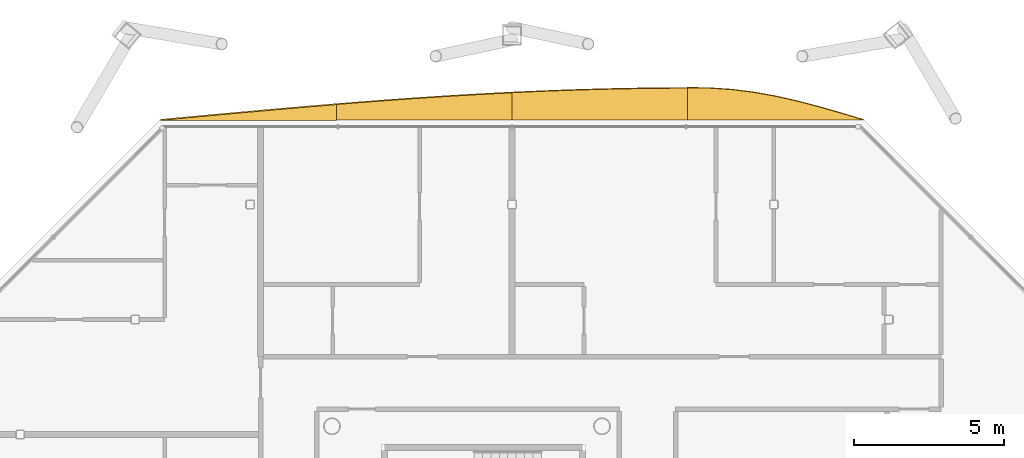
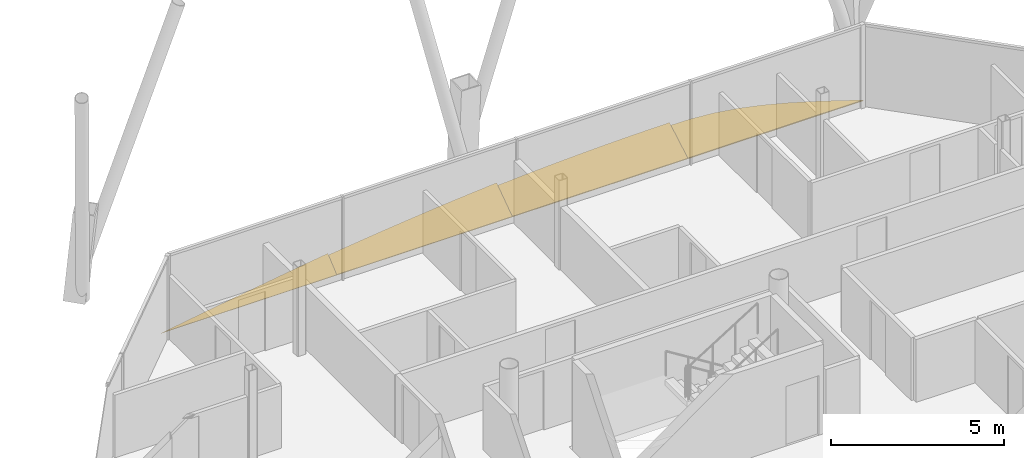
# One storey, part 18 of 18: 4 shading devices.
"""IFC4 building model written with IfcOpenShell, lengths in metres."""

from ifc_helpers import new_model, si_unit, direction, frame, origin, place, context, subcontext, project, spatial, polyline, outline, extrude, material, layer, layer_set, type_object, element, save


model = new_model("IFC4")

# Units and contexts
model_context = context("Model", 3, precision=1e-05, world=origin(), true_north=direction((0.0, 1.0)))
body_context = subcontext(model_context, "Body", "Model", "MODEL_VIEW")
ifc_project = project(units=[si_unit("LENGTHUNIT", "METRE"), si_unit("AREAUNIT", "SQUARE_METRE"), si_unit("VOLUMEUNIT", "CUBIC_METRE"), si_unit("PLANEANGLEUNIT", "RADIAN"), si_unit("MASSUNIT", "GRAM", prefix="KILO")], contexts=[model_context])

# Site, building, storey
site_placement = place(None, origin())
site = spatial("IfcSite", under=ifc_project, at=site_placement, CompositionType="ELEMENT")
building_placement = place(site_placement, origin())
building = spatial("IfcBuilding", under=site, at=building_placement, Name="Tskaro Facet Tower", CompositionType="ELEMENT")
storey_placement = place(building_placement, frame((0.0, 0.0, 217.199951171875)))
storey = spatial("IfcBuildingStorey", under=building, at=storey_placement, Name="L55", CompositionType="ELEMENT", Elevation=217.199951171875)

# Shading devices
ifc_material = material(Name="Bronze anodised aluminium 6063-T6", Category="aluminium")
ifc_layer = layer(ifc_material, 0.06005859375, Name="Bronze anodised aluminium 6063-T6")
ifc_layer_set = layer_set([ifc_layer], Name="Bronze anodised aluminium 6063-T6")
shading_device_type = type_object("IfcShadingDeviceType", Name="Bronze sun blade (FN1)", PredefinedType="USERDEFINED", material=ifc_layer_set)
shading_device_1_placement = place(storey_placement, frame((8.712890625, 19.209716796875, 0.054443359375), z_axis=(6.240972e-06, -0.422644184744, 0.906295698469), x_axis=(-0.999999999981, -2.637711e-06, 5.656166e-06)))
element("IfcShadingDevice", 1, at=shading_device_1_placement, inside=storey, type_object=shading_device_type, Name="Fin blade north 1", ObjectType="FIN", PredefinedType="USERDEFINED", context=body_context, shape_type="SweptSolid", body=[
    extrude(outline(polyline([(0.0, 0.0), (5.856445312385946, 0.0), (5.8564453127732055, -1.1748080597865327), (5.528320311491651, -1.1752505869830594), (5.124267577848017, -1.1674925426329892), (4.392333983932021, -1.11441062915666), (3.6601562507843046, -1.0134826567251844), (2.9282226562558016, -0.8687647659878659), (2.196044922236857, -0.6866874197051943), (1.4641113278730646, -0.474905477611822), (0.7319335934946744, -0.24269604051080765), (0.0, 0.0)])), origin(), (0.0, 0.0, -1.0), 0.06005859375),
])
shading_device_2_placement = place(storey_placement, frame((2.8564453125, 19.205078125, 0.052001953125), z_axis=(-2.35965e-06, -0.500025475178, 0.866010695181), x_axis=(-0.999999999997, 1.179885e-06, -2.043482e-06)))
element("IfcShadingDevice", 2, at=shading_device_2_placement, inside=storey, type_object=shading_device_type, Name="Fin blade north 2", ObjectType="FIN", PredefinedType="USERDEFINED", context=body_context, shape_type="SweptSolid", body=[
    extrude(outline(polyline([(0.0, 0.0), (5.856445312483697, 1.2401505333701267e-21), (5.856445312547128, -1.0532155535073833), (5.124267578225233, -1.0918252892933367), (4.392333984409484, -1.1259534820129948), (3.660156250060722, -1.155266626741953), (2.9282226562181073, -1.1800982284046158), (2.1960449215544204, -1.1999033536841999), (1.4641113281066158, -1.2147713544410577), (0.73193359383774, -1.2246128788148365), (-2.2082633649523676e-12, -1.2294279268055366), (0.0, 0.0)])), origin(), (0.0, 0.0, -1.0), 0.06005859375),
])
shading_device_3_placement = place(storey_placement, frame((-3.0, 19.20068359375, 0.04931640625), z_axis=(-4.425347e-06, -0.573534365217, 0.819181501192), x_axis=(-0.99999999999, 2.538089e-06, -3.625162e-06)))
element("IfcShadingDevice", 3, at=shading_device_3_placement, inside=storey, type_object=shading_device_type, Name="Fin blade north 3", ObjectType="FIN", PredefinedType="USERDEFINED", context=body_context, shape_type="SweptSolid", body=[
    extrude(outline(polyline([(0.0, 0.0), (5.856445312442655, 0.0), (5.8564453122488285, -0.6393049161716065), (5.12451171879922, -0.7104876841840664), (4.392333984458056, -0.7790303546129966), (3.66040039100613, -0.8442528904142452), (2.9282226565737948, -0.9059552961041208), (2.196289062411046, -0.9641375716826235), (1.4641113277986864, -1.0181196801056012), (0.7321777339867107, -1.067901621373054), (-2.74875709948967e-10, -1.1134833954849825), (0.0, 0.0)])), origin(), (0.0, 0.0, -1.0), 0.06005859375),
])
shading_device_4_placement = place(storey_placement, frame((-8.8564453125, 19.196533203125, 0.0458984375), z_axis=(1.8042216e-05, -0.643138832678, 0.765749594565), x_axis=(-0.999999999837, -1.160365e-05, 1.3815819e-05)))
element("IfcShadingDevice", 4, at=shading_device_4_placement, inside=storey, type_object=shading_device_type, Name="Fin blade north 4", ObjectType="FIN", PredefinedType="USERDEFINED", context=body_context, shape_type="SweptSolid", body=[
    extrude(outline(polyline([(0.0, 0.0), (5.856445311546801, 0.0), (5.124511720726355, -0.08940201441643941), (4.392333985367865, -0.17830304561504312), (3.6604003923870967, -0.26632919242652936), (2.9282226543282044, -0.3535103891189416), (2.196289060399795, -0.43894181703711876), (1.464111326519025, -0.5228104267657019), (0.7321777328556547, -0.6044282845022142), (-1.8402367685057711e-09, -0.6837953902466558), (0.0, 0.0)])), origin(), (0.0, 0.0, -1.0), 0.06005859375),
])

save(model, "model.ifc")
